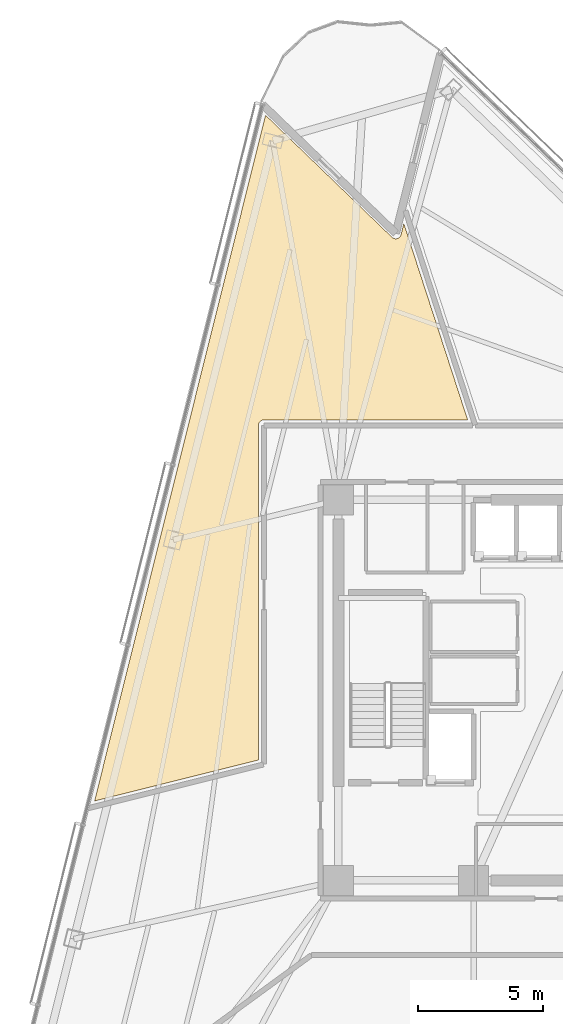
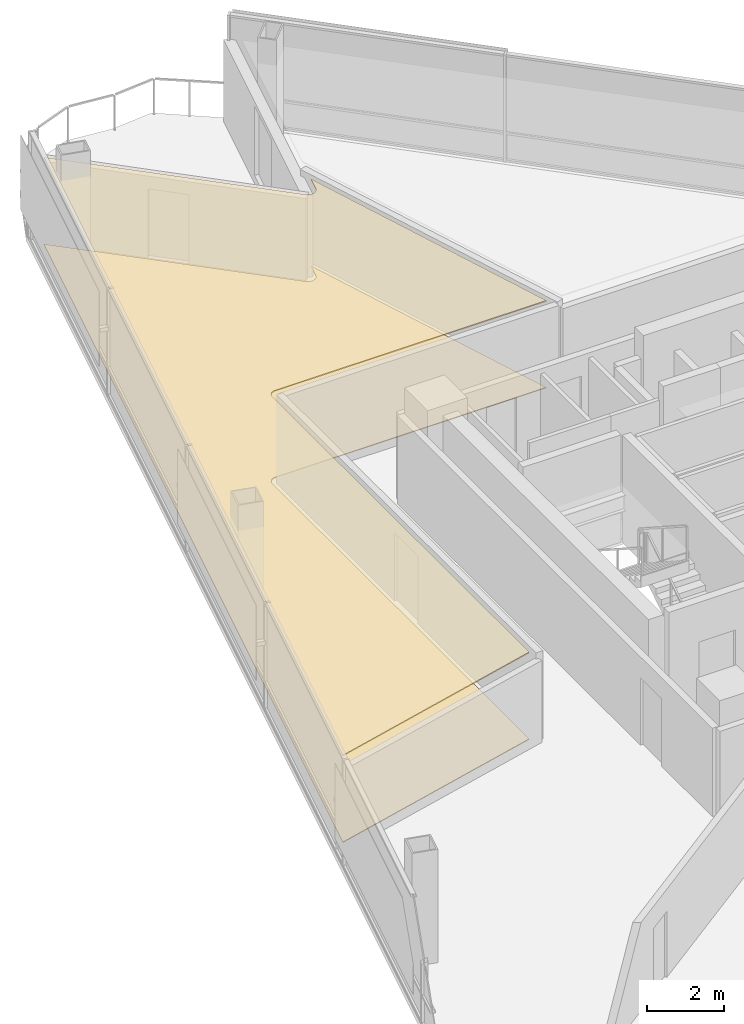
# One storey, part 16 of 18: 2 coverings.
"""IFC4 building model written with IfcOpenShell, lengths in metres."""

from ifc_helpers import new_model, si_unit, direction, frame, origin, place, context, subcontext, project, spatial, polyline, outline, extrude, material, layer, layer_set, type_object, element, save


model = new_model("IFC4")

# Units and contexts
model_context = context("Model", 3, precision=1e-05, world=origin(), true_north=direction((0.0, 1.0)))
body_context = subcontext(model_context, "Body", "Model", "MODEL_VIEW")
ifc_project = project(units=[si_unit("LENGTHUNIT", "METRE"), si_unit("AREAUNIT", "SQUARE_METRE"), si_unit("VOLUMEUNIT", "CUBIC_METRE"), si_unit("PLANEANGLEUNIT", "RADIAN"), si_unit("MASSUNIT", "GRAM", prefix="KILO")], contexts=[model_context])

# Site, building, storey
site_placement = place(None, origin())
site = spatial("IfcSite", under=ifc_project, at=site_placement, CompositionType="ELEMENT")
building_placement = place(site_placement, origin())
building = spatial("IfcBuilding", under=site, at=building_placement, Name="Tharavind Bronze Gate", CompositionType="ELEMENT")
storey_placement = place(building_placement, frame((0.0, 0.0, 100.5)))
storey = spatial("IfcBuildingStorey", under=building, at=storey_placement, Name="L25", CompositionType="ELEMENT", Elevation=100.5)

# Coverings
ifc_material_1 = material(Name="Perforated Bronze Acoustic Panel", Category="bronze")
ifc_layer_1 = layer(ifc_material_1, 0.044921875)
ifc_layer_set_1 = layer_set([ifc_layer_1], Name="Perforated Bronze Acoustic Panel")
covering_type_1 = type_object("IfcCoveringType", Name="ACOUSTIC BRONZE BAFFLE CEILING", PredefinedType="CEILING", material=ifc_layer_set_1)
covering_1_placement = place(storey_placement, frame((0.0, 0.0, 2.75)))
element("IfcCovering", 1, at=covering_1_placement, inside=storey, type_object=covering_type_1, Name="L25-RM-02 suspended ceiling", PredefinedType="CEILING", context=body_context, shape_type="SweptSolid", body=[
    extrude(outline(polyline([(-12.10009765625, -2.7900390625), (-12.10009765625, 10.579345703125), (-12.099609375, 10.590087890625), (-12.099609375, 10.5908203125), (-12.09765625, 10.6123046875), (-12.093505859375, 10.63330078125), (-12.087158203125, 10.654052734375), (-12.078857421875, 10.674072265625), (-12.068603515625, 10.693115234375), (-12.056640625, 10.7109375), (-12.04296875, 10.727783203125), (-12.027587890625, 10.742919921875), (-12.010986328125, 10.756591796875), (-11.9931640625, 10.768798828125), (-11.97412109375, 10.77880859375), (-11.9541015625, 10.787109375), (-11.933349609375, 10.79345703125), (-11.912353515625, 10.797607421875), (-11.890869140625, 10.7998046875), (-11.89013671875, 10.7998046875), (-11.87939453125, 10.800048828125), (-3.740478515625, 10.800048828125), (-6.28759765625, 18.639404296875), (-6.39697265625, 18.201171875), (-6.39990234375, 18.1904296875), (-6.400146484375, 18.18994140625), (-6.407470703125, 18.169189453125), (-6.4169921875, 18.1494140625), (-6.42822265625, 18.130615234375), (-6.44140625, 18.11328125), (-6.456298828125, 18.096923828125), (-6.47265625, 18.08251953125), (-6.490234375, 18.069580078125), (-6.50927734375, 18.05859375), (-6.529296875, 18.04931640625), (-6.550048828125, 18.042236328125), (-6.5712890625, 18.037353515625), (-6.593017578125, 18.034423828125), (-6.614990234375, 18.03369140625), (-6.636962890625, 18.035400390625), (-6.658447265625, 18.0390625), (-6.6796875, 18.044921875), (-6.7001953125, 18.052734375), (-6.7197265625, 18.062744140625), (-6.738037109375, 18.074462890625), (-6.75537109375, 18.088134765625), (-6.755859375, 18.08837890625), (-6.763916015625, 18.095947265625), (-11.8125, 22.97119140625), (-18.64208984375, -4.42138671875), (-12.10009765625, -2.7900390625)])), origin(), (0.0, 0.0, 1.0), 0.034912109375),
])
ifc_material_2 = material(Name="Engineered Oak & Carpet Tile", Category="wood")
ifc_layer_2 = layer(ifc_material_2, 0.02490234375)
ifc_layer_set_2 = layer_set([ifc_layer_2], Name="Engineered Oak & Carpet Tile")
covering_type_2 = type_object("IfcCoveringType", Name="ENGINEERED TIMBER FLOORING", PredefinedType="FLOORING", material=ifc_layer_set_2)
covering_2_placement = place(storey_placement, origin())
element("IfcCovering", 2, at=covering_2_placement, inside=storey, type_object=covering_type_2, Name="L25-RM-02 floor finish", PredefinedType="FLOORING", context=body_context, shape_type="SweptSolid", body=[
    extrude(outline(polyline([(-12.10009765625, -2.7900390625), (-12.10009765625, 10.579345703125), (-12.099609375, 10.590087890625), (-12.099609375, 10.5908203125), (-12.09765625, 10.6123046875), (-12.093505859375, 10.63330078125), (-12.087158203125, 10.654052734375), (-12.078857421875, 10.674072265625), (-12.068603515625, 10.693115234375), (-12.056640625, 10.7109375), (-12.04296875, 10.727783203125), (-12.027587890625, 10.742919921875), (-12.010986328125, 10.756591796875), (-11.9931640625, 10.768798828125), (-11.97412109375, 10.77880859375), (-11.9541015625, 10.787109375), (-11.933349609375, 10.79345703125), (-11.912353515625, 10.797607421875), (-11.890869140625, 10.7998046875), (-11.89013671875, 10.7998046875), (-11.87939453125, 10.800048828125), (-3.740478515625, 10.800048828125), (-6.28759765625, 18.639404296875), (-6.39697265625, 18.201171875), (-6.39990234375, 18.1904296875), (-6.400146484375, 18.18994140625), (-6.407470703125, 18.169189453125), (-6.4169921875, 18.1494140625), (-6.42822265625, 18.130615234375), (-6.44140625, 18.11328125), (-6.456298828125, 18.096923828125), (-6.47265625, 18.08251953125), (-6.490234375, 18.069580078125), (-6.50927734375, 18.05859375), (-6.529296875, 18.04931640625), (-6.550048828125, 18.042236328125), (-6.5712890625, 18.037353515625), (-6.593017578125, 18.034423828125), (-6.614990234375, 18.03369140625), (-6.636962890625, 18.035400390625), (-6.658447265625, 18.0390625), (-6.6796875, 18.044921875), (-6.7001953125, 18.052734375), (-6.7197265625, 18.062744140625), (-6.738037109375, 18.074462890625), (-6.75537109375, 18.088134765625), (-6.755859375, 18.08837890625), (-6.763916015625, 18.095947265625), (-11.8125, 22.97119140625), (-18.64208984375, -4.42138671875), (-12.10009765625, -2.7900390625)])), origin(), (0.0, 0.0, 1.0), 0.02490234375),
])

save(model, "model.ifc")
